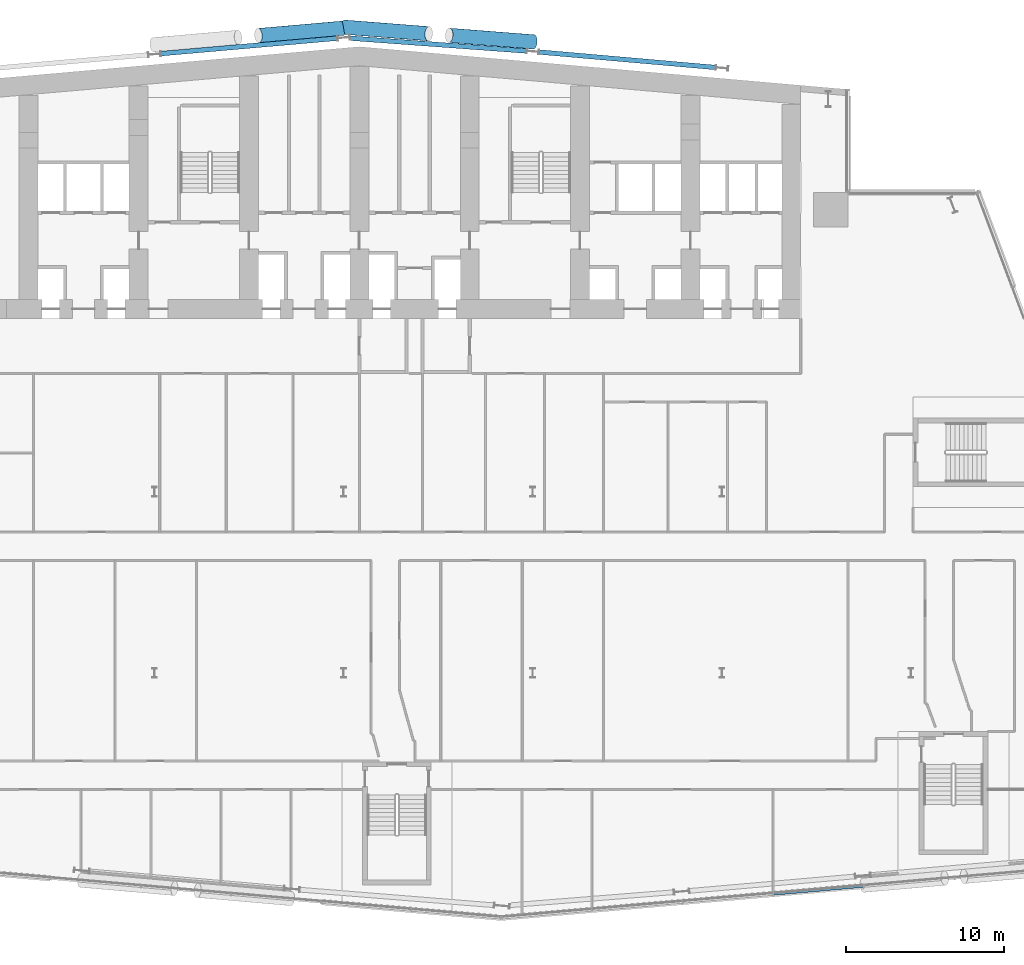
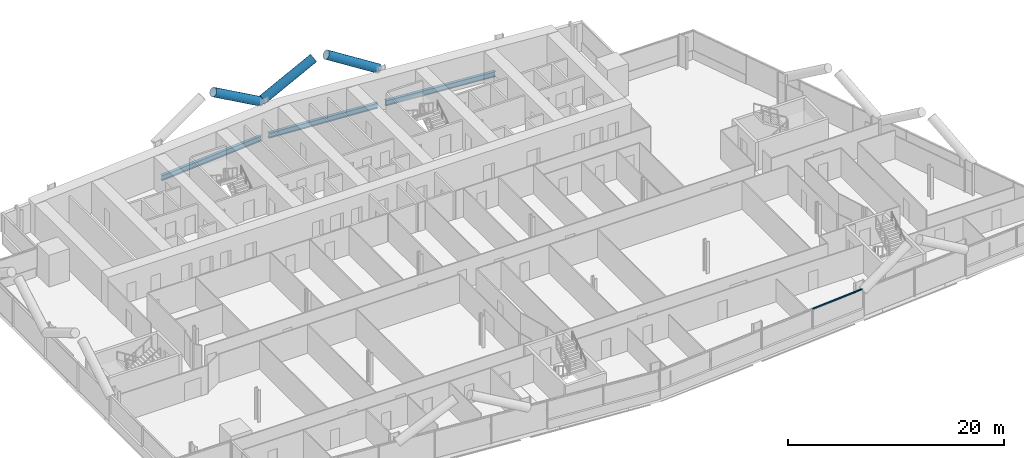
# One storey, part 8 of 28: 4 members, 3 beams, 1 element without a shape of its own.
"""IFC4 building model written with IfcOpenShell, lengths in metres."""

from ifc_helpers import new_model, si_unit, direction, frame, origin, origin_2d, place, context, subcontext, project, spatial, rectangle, hollow_circle, i_section, extrude, material, material_profile, profile_set, type_object, element, aggregate, save


model = new_model("IFC4")

# Units and contexts
model_context = context("Model", 3, precision=1e-05, world=origin(), true_north=direction((0.0, 1.0)))
body_context = subcontext(model_context, "Body", "Model", "MODEL_VIEW")
ifc_project = project(units=[si_unit("LENGTHUNIT", "METRE"), si_unit("AREAUNIT", "SQUARE_METRE"), si_unit("VOLUMEUNIT", "CUBIC_METRE"), si_unit("PLANEANGLEUNIT", "RADIAN"), si_unit("MASSUNIT", "GRAM", prefix="KILO")], contexts=[model_context])

# Site, building, storey
site_placement = place(None, origin())
site = spatial("IfcSite", under=ifc_project, at=site_placement, CompositionType="ELEMENT")
building_placement = place(site_placement, origin())
building = spatial("IfcBuilding", under=site, at=building_placement, Name="Wharfspan Tower", CompositionType="ELEMENT")
storey_placement = place(building_placement, frame((0.0, 0.0, 52.300049)))
storey = spatial("IfcBuildingStorey", under=building, at=storey_placement, Name="L09", CompositionType="ELEMENT", Elevation=52.300049)

# Beams
ifc_material_1 = material(Name="Steel S355J2", Category="steel")
ifc_material_profile_1 = material_profile(ifc_material_1, i_section(OverallWidth=0.300049, OverallDepth=0.600098, WebThickness=0.015381, FlangeThickness=0.030029, FilletRadius=0.0271, at=origin_2d()))
ifc_profile_set_1 = profile_set([ifc_material_profile_1], Name="Steel S355J2")
beam_type = type_object("IfcBeamType", Name="Edge beam HEB 600", PredefinedType="SPANDREL", material=ifc_profile_set_1)
for number, where, z_axis, x_axis, name in (
    (1, (59.598633, 49.919922, -0.699951), (-0.996194, 0.087165, 0.0), (-0.087165, -0.996194, 0.0), "Edge beam N2 L09 R.5 to R.4"),
    (2, (35.598633, 51.774414, -0.699951), (-0.996196, -0.087143, 0.0), (0.087143, -0.996196, 0.0), "Edge beam N1 L09 R.3 to R.2"),
):
    element("IfcBeam", number, at=place(storey_placement, frame(where, z_axis=z_axis, x_axis=x_axis)), inside=storey, type_object=beam_type, Name=name, PredefinedType="SPANDREL", context=body_context, shape_type="SweptSolid", body=[
        extrude(i_section(OverallWidth=0.300049, OverallDepth=0.600098, WebThickness=0.015381, FlangeThickness=0.030029, FilletRadius=0.0271, at=origin_2d()), origin(), (0.0, 0.0, 1.0), 11.23999),
    ])
beam_placement = place(storey_placement, frame((36.407227, 51.779785, -0.699951), z_axis=(0.997354, -0.072694, 0.0), x_axis=(0.072694, 0.997354, 0.0)))
element("IfcBeam", 3, at=beam_placement, inside=storey, type_object=beam_type, Name="Edge beam L09 R.3 to R.4", PredefinedType="SPANDREL", context=body_context, shape_type="SweptSolid", body=[
    extrude(i_section(OverallWidth=0.300049, OverallDepth=0.600098, WebThickness=0.015381, FlangeThickness=0.030029, FilletRadius=0.0271, at=origin_2d()), origin(), (0.0, 0.0, 1.0), 11.220703),
])

# Members
ifc_material_2 = material(Name="Steel S460NH", Category="steel")
ifc_material_profile_2 = material_profile(ifc_material_2, hollow_circle(Radius=0.457031, WallThickness=0.040039, at=origin_2d()))
ifc_profile_set_2 = profile_set([ifc_material_profile_2], Name="Steel S460NH")
member_type_1 = type_object("IfcMemberType", Name="Mega brace CHS 914x40", PredefinedType="BRACE", material=ifc_profile_set_2)
member_1_placement = place(storey_placement, frame((35.947266, 52.412842, 2.899902), z_axis=(-0.855094, -0.074809, 0.513048), x_axis=(0.087154, -0.996195, 1e-06)))
element("IfcMember", 4, at=member_1_placement, inside=storey, type_object=member_type_1, Name="Mega brace N7 L10 part 3", PredefinedType="BRACE", context=body_context, shape_type="SweptSolid", body=[
    extrude(hollow_circle(Radius=0.457031, WallThickness=0.040039, at=origin_2d()), origin(), (0.0, 0.0, 1.0), 6.256104),
])
for number, where, z_axis, x_axis, name in (
    (5, (36.048584, 52.476318, 2.899902), (0.85551, -0.066472, 0.513501), (0.077467, 0.996995, -3e-06), "Mega brace N8 L10 part 1"),
    (6, (48.044434, 51.544434, 2.899902), (-0.85551, 0.066472, 0.513501), (-0.077467, -0.996995, -3e-06), "Mega brace N8 L10 part 3"),
):
    element("IfcMember", number, at=place(storey_placement, frame(where, z_axis=z_axis, x_axis=x_axis)), inside=storey, type_object=member_type_1, Name=name, PredefinedType="BRACE", context=body_context, shape_type="SweptSolid", body=[
        extrude(hollow_circle(Radius=0.457031, WallThickness=0.040039, at=origin_2d()), origin(), (0.0, 0.0, 1.0), 6.251221),
    ])

# Curtain wall, member
ifc_material_3 = material(Name="Aluminium 6063-T6", Category="aluminium")
curtain_wall_type = type_object("IfcCurtainWallType", Name="CURTAIN WALL FACETED FRONT", PredefinedType="NOTDEFINED", material=ifc_material_3)
curtain_wall_placement = place(storey_placement, origin())
curtain_wall = element("IfcCurtainWall", 7, at=curtain_wall_placement, inside=storey, type_object=curtain_wall_type, Name="Curtain wall S2", PredefinedType="NOTDEFINED")
ifc_material_profile_3 = material_profile(ifc_material_3, rectangle(XDim=0.159912, YDim=0.080078, at=origin_2d()))
ifc_profile_set_3 = profile_set([ifc_material_profile_3], Name="Aluminium 6063-T6")
member_type_2 = type_object("IfcMemberType", Name="TRANSOM FACETED FRONT 80x160", PredefinedType="USERDEFINED", material=ifc_profile_set_3)
member_2_placement = place(storey_placement, frame((63.279785, -2.512695, 3.159912), z_axis=(0.996195, 0.087148, 0.0), x_axis=(-0.087148, 0.996195, 0.0)))
member_2 = element("IfcMember", 8, at=member_2_placement, type_object=member_type_2, Name="Curtain wall S2 transom 4", ObjectType="TRANSOM", PredefinedType="USERDEFINED", context=body_context, shape_type="SweptSolid", body=[
    extrude(rectangle(XDim=0.159912, YDim=0.080078, at=origin_2d()), origin(), (0.0, 0.0, 1.0), 5.712158),
])
aggregate(curtain_wall, [member_2])

save(model, "model.ifc")
